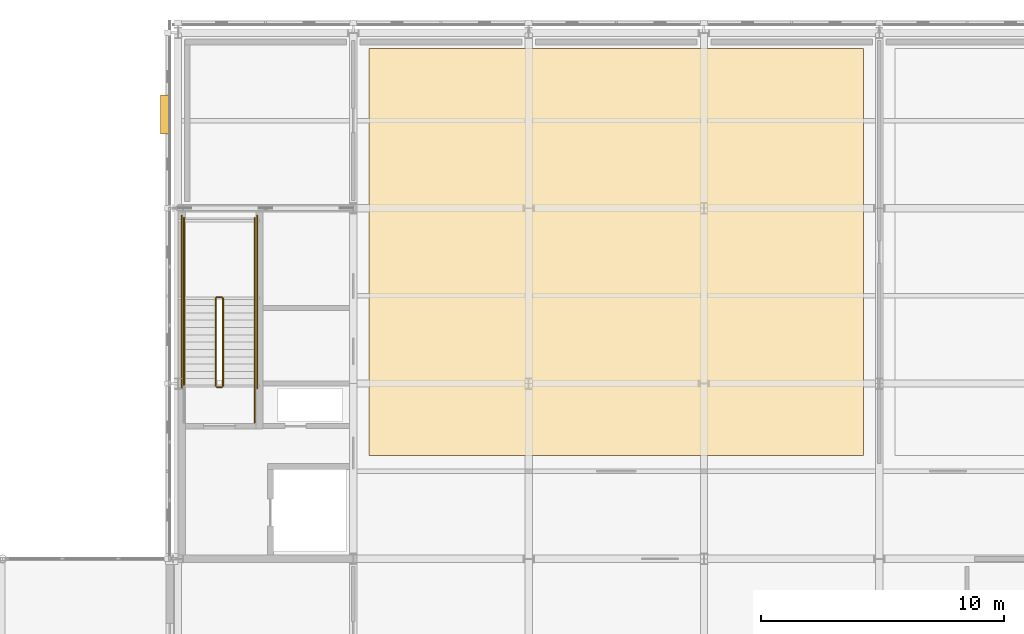
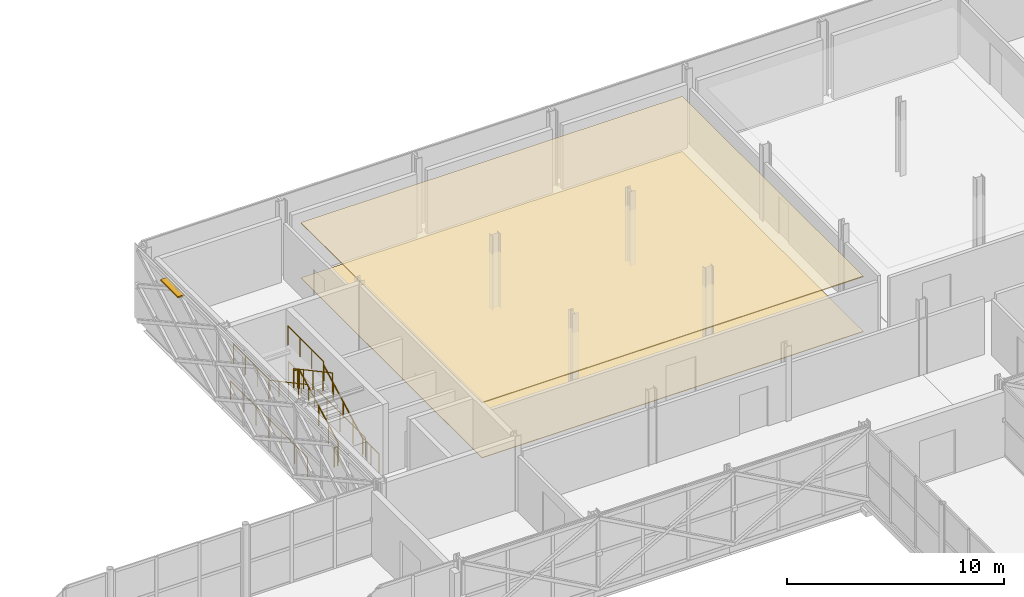
# One storey, part 142 of 146: 11 railings, 2 coverings, 1 shading device.
"""IFC4 building model written with IfcOpenShell, lengths in metres."""

from ifc_helpers import new_model, si_unit, direction, frame, origin, origin_2d, place, context, subcontext, project, spatial, polyline, rectangle, circle, outline, extrude, material, layer, layer_set, type_object, element, save


model = new_model("IFC4")

# Units and contexts
model_context = context("Model", 3, precision=1e-05, world=origin(), true_north=direction((0.0, 1.0)))
body_context = subcontext(model_context, "Body", "Model", "MODEL_VIEW")
ifc_project = project(units=[si_unit("LENGTHUNIT", "METRE"), si_unit("AREAUNIT", "SQUARE_METRE"), si_unit("VOLUMEUNIT", "CUBIC_METRE"), si_unit("PLANEANGLEUNIT", "RADIAN"), si_unit("MASSUNIT", "GRAM", prefix="KILO")], contexts=[model_context])

# Site, building, storey
site_placement = place(None, origin())
site = spatial("IfcSite", under=ifc_project, at=site_placement, CompositionType="ELEMENT")
building_placement = place(site_placement, origin())
building = spatial("IfcBuilding", under=site, at=building_placement, Name="Zlatovets Crest Museum", CompositionType="ELEMENT")
storey_placement = place(building_placement, frame((0.0, 0.0, 4.5)))
storey = spatial("IfcBuildingStorey", under=building, at=storey_placement, Name="L01", CompositionType="ELEMENT", Elevation=4.5)

# Coverings
ifc_material_1 = material(Name="Micro-perforated gypsum acoustic gallery ceiling")
ifc_layer_1 = layer(ifc_material_1, 0.050048828125)
ifc_layer_set_1 = layer_set([ifc_layer_1], Name="Micro-perforated gypsum acoustic gallery ceiling")
covering_type_1 = type_object("IfcCoveringType", Name="GalleryCeiling_CLG1", PredefinedType="CEILING", material=ifc_layer_set_1)
covering_1_placement = place(storey_placement, frame((0.0, 0.0, 3.090087890625)))
element("IfcCovering", 1, at=covering_1_placement, inside=storey, type_object=covering_type_1, Name="Early Bulgarian Revival Painting Gallery Acoustic Ceiling", PredefinedType="CEILING", context=body_context, shape_type="SweptSolid", body=[
    extrude(outline(polyline([(65.449951171875, 97.85009765625), (85.75, 97.85009765625), (85.75, 114.550048828125), (65.449951171875, 114.550048828125), (65.449951171875, 97.85009765625)])), origin(), (0.0, 0.0, 1.0), 0.0498046875),
])
ifc_material_2 = material(Name="Quarter-sawn European oak herringbone gallery parquet")
ifc_layer_2 = layer(ifc_material_2, 0.030029296875)
ifc_layer_set_2 = layer_set([ifc_layer_2], Name="Quarter-sawn European oak herringbone gallery parquet")
covering_type_2 = type_object("IfcCoveringType", Name="GalleryFloor_FLR1", PredefinedType="FLOORING", material=ifc_layer_set_2)
covering_2_placement = place(storey_placement, origin())
element("IfcCovering", 2, at=covering_2_placement, inside=storey, type_object=covering_type_2, Name="Early Bulgarian Revival Painting Gallery Floor Finish", PredefinedType="FLOORING", context=body_context, shape_type="SweptSolid", body=[
    extrude(outline(polyline([(65.449951171875, 97.85009765625), (85.75, 97.85009765625), (85.75, 114.550048828125), (65.449951171875, 114.550048828125), (65.449951171875, 97.85009765625)])), origin(), (0.0, 0.0, 1.0), 0.030029296875),
])

# Railings
ifc_material_3 = material(Name="Painted steel safety guardrail", Category="steel")
railing_type_1 = type_object("IfcRailingType", Name="StairGuard_SG01", PredefinedType="GUARDRAIL", material=ifc_material_3)
railing_1_placement = place(storey_placement, frame((59.449951171875, 100.699951171875, 0.16162109375)))
element("IfcRailing", 3, at=railing_1_placement, inside=storey, type_object=railing_type_1, Name="L01 ST1 stair guard 1", PredefinedType="GUARDRAIL", context=body_context, shape_type="SweptSolid", body=[
    extrude(circle(Radius=0.02392578125, at=origin_2d()), frame((0.0, 0.0, 1.076171875), z_axis=(0.0, 0.880474934443, 0.474092701714), x_axis=(-1.0, 0.0, 0.0)), (0.0, 0.0, 1.0), 4.0888671875),
    extrude(circle(Radius=0.02099609375, at=origin_2d()), origin(), (0.0, 0.0, 1.0), 1.052001953125),
    extrude(circle(Radius=0.02099609375, at=origin_2d()), frame((0.0, 0.89990234375, 0.484619140625)), (0.0, 0.0, 1.0), 1.052001953125),
    extrude(circle(Radius=0.02099609375, at=origin_2d()), frame((0.0, 1.800048828125, 0.96923828125)), (0.0, 0.0, 1.0), 1.052001953125),
    extrude(circle(Radius=0.02099609375, at=origin_2d()), frame((0.0, 2.7001953125, 1.453857421875)), (0.0, 0.0, 1.0), 1.052001953125),
    extrude(circle(Radius=0.02099609375, at=origin_2d()), frame((0.0, 3.60009765625, 1.9384765625)), (0.0, 0.0, 1.0), 1.052001953125),
])
railing_2_placement = place(storey_placement, frame((59.39990234375, 104.35009765625, 2.10009765625)))
element("IfcRailing", 4, at=railing_2_placement, inside=storey, type_object=railing_type_1, Name="L01 ST1 stair guard 2", PredefinedType="GUARDRAIL", context=body_context, shape_type="SweptSolid", body=[
    extrude(circle(Radius=0.02392578125, at=origin_2d()), frame((0.0, 0.0, 1.076171875), z_axis=(-1.0, 0.0, 0.0), x_axis=(0.0, -1.0, 0.0)), (0.0, 0.0, 1.0), 0.199951171875),
    extrude(circle(Radius=0.02099609375, at=origin_2d()), origin(), (0.0, 0.0, 1.0), 1.052001953125),
    extrude(circle(Radius=0.02099609375, at=origin_2d()), frame((-0.199951171875, 0.0, 0.0)), (0.0, 0.0, 1.0), 1.052001953125),
])
for number, where, name in (
    (5, (60.75, 104.300048828125, 2.10009765625), "L01 ST1 stair guard 3"),
    (6, (57.85009765625, 104.300048828125, 2.10009765625), "L01 ST1 stair guard 4"),
):
    element("IfcRailing", number, at=place(storey_placement, frame(where)), inside=storey, type_object=railing_type_1, Name=name, PredefinedType="GUARDRAIL", context=body_context, shape_type="SweptSolid", body=[
        extrude(circle(Radius=0.02392578125, at=origin_2d()), frame((0.0, 0.0, 1.076171875), z_axis=(0.0, 1.0, 0.0), x_axis=(-1.0, 0.0, 0.0)), (0.0, 0.0, 1.0), 3.300048828125),
        extrude(circle(Radius=0.02099609375, at=origin_2d()), origin(), (0.0, 0.0, 1.0), 1.052001953125),
        extrude(circle(Radius=0.02099609375, at=origin_2d()), frame((0.0, 1.10009765625, 0.0)), (0.0, 0.0, 1.0), 1.052001953125),
        extrude(circle(Radius=0.02099609375, at=origin_2d()), frame((0.0, 2.199951171875, 0.0)), (0.0, 0.0, 1.0), 1.052001953125),
        extrude(circle(Radius=0.02099609375, at=origin_2d()), frame((0.0, 3.300048828125, 0.0)), (0.0, 0.0, 1.0), 1.052001953125),
    ])
railing_3_placement = place(storey_placement, frame((59.14990234375, 104.300048828125, 2.261474609375)))
element("IfcRailing", 7, at=railing_3_placement, inside=storey, type_object=railing_type_1, Name="L01 ST1 stair guard 5", PredefinedType="GUARDRAIL", context=body_context, shape_type="SweptSolid", body=[
    extrude(circle(Radius=0.02392578125, at=origin_2d()), frame((0.0, 0.0, 1.076171875), z_axis=(0.0, -0.880474934443, 0.474092701714), x_axis=(1.0, 0.0, 0.0)), (0.0, 0.0, 1.0), 4.0888671875),
    extrude(circle(Radius=0.02099609375, at=origin_2d()), origin(), (0.0, 0.0, 1.0), 1.052001953125),
    extrude(circle(Radius=0.02099609375, at=origin_2d()), frame((0.0, -0.89990234375, 0.484619140625)), (0.0, 0.0, 1.0), 1.052001953125),
    extrude(circle(Radius=0.02099609375, at=origin_2d()), frame((0.0, -1.800048828125, 0.96923828125)), (0.0, 0.0, 1.0), 1.052001953125),
    extrude(circle(Radius=0.02099609375, at=origin_2d()), frame((0.0, -2.7001953125, 1.453857421875)), (0.0, 0.0, 1.0), 1.052001953125),
    extrude(circle(Radius=0.02099609375, at=origin_2d()), frame((0.0, -3.60009765625, 1.9384765625)), (0.0, 0.0, 1.0), 1.052001953125),
])
railing_4_placement = place(storey_placement, frame((59.39990234375, 100.64990234375, 0.0)))
element("IfcRailing", 8, at=railing_4_placement, inside=storey, type_object=railing_type_1, Name="L01 ST1 stair guard 6", PredefinedType="GUARDRAIL", context=body_context, shape_type="SweptSolid", body=[
    extrude(circle(Radius=0.02392578125, at=origin_2d()), frame((0.0, 0.0, 1.076171875), z_axis=(-1.0, 0.0, 0.0), x_axis=(0.0, -1.0, 0.0)), (0.0, 0.0, 1.0), 0.199951171875),
    extrude(circle(Radius=0.02099609375, at=origin_2d()), origin(), (0.0, 0.0, 1.0), 1.052001953125),
    extrude(circle(Radius=0.02099609375, at=origin_2d()), frame((-0.199951171875, 0.0, 0.0)), (0.0, 0.0, 1.0), 1.052001953125),
])
railing_5_placement = place(storey_placement, frame((60.75, 99.199951171875, 0.0)))
element("IfcRailing", 9, at=railing_5_placement, inside=storey, type_object=railing_type_1, Name="L01 ST1 stair guard 7", PredefinedType="GUARDRAIL", context=body_context, shape_type="SweptSolid", body=[
    extrude(circle(Radius=0.02392578125, at=origin_2d()), frame((0.0, 0.0, 1.076171875), z_axis=(0.0, 1.0, 0.0), x_axis=(-1.0, 0.0, 0.0)), (0.0, 0.0, 1.0), 1.5),
    extrude(circle(Radius=0.02099609375, at=origin_2d()), origin(), (0.0, 0.0, 1.0), 1.052001953125),
    extrude(circle(Radius=0.02099609375, at=origin_2d()), frame((0.0, 0.75, 0.0)), (0.0, 0.0, 1.0), 1.052001953125),
    extrude(circle(Radius=0.02099609375, at=origin_2d()), frame((0.0, 1.5, 0.0)), (0.0, 0.0, 1.0), 1.052001953125),
])
for number, where, name in (
    (10, (60.85009765625, 100.60009765625, 0.0), "L01 ST1 stair guard 9"),
    (11, (57.75, 100.60009765625, 0.0), "L01 ST1 stair guard 10"),
):
    element("IfcRailing", number, at=place(storey_placement, frame(where)), inside=storey, type_object=railing_type_1, Name=name, PredefinedType="GUARDRAIL", context=body_context, shape_type="SweptSolid", body=[
        extrude(circle(Radius=0.02392578125, at=origin_2d()), frame((0.0, 0.0, 1.076171875), z_axis=(0.0, 1.0, 0.0), x_axis=(-1.0, 0.0, 0.0)), (0.0, 0.0, 1.0), 7.099853515625),
        extrude(circle(Radius=0.02099609375, at=origin_2d()), origin(), (0.0, 0.0, 1.0), 1.052001953125),
        extrude(circle(Radius=0.02099609375, at=origin_2d()), frame((0.0, 1.183349609375, 0.0)), (0.0, 0.0, 1.0), 1.052001953125),
        extrude(circle(Radius=0.02099609375, at=origin_2d()), frame((0.0, 2.36669921875, 0.0)), (0.0, 0.0, 1.0), 1.052001953125),
        extrude(circle(Radius=0.02099609375, at=origin_2d()), frame((0.0, 3.5498046875, 0.0)), (0.0, 0.0, 1.0), 1.052001953125),
        extrude(circle(Radius=0.02099609375, at=origin_2d()), frame((0.0, 4.733154296875, 0.0)), (0.0, 0.0, 1.0), 1.052001953125),
        extrude(circle(Radius=0.02099609375, at=origin_2d()), frame((0.0, 5.91650390625, 0.0)), (0.0, 0.0, 1.0), 1.052001953125),
        extrude(circle(Radius=0.02099609375, at=origin_2d()), frame((0.0, 7.099853515625, 0.0)), (0.0, 0.0, 1.0), 1.052001953125),
    ])
ifc_material_4 = material(Name="Brushed bronze stair handrail")
railing_type_2 = type_object("IfcRailingType", Name="StairHandrail_SH01", PredefinedType="HANDRAIL", material=ifc_material_4)
railing_6_placement = place(storey_placement, frame((60.75, 100.699951171875, 0.16162109375)))
element("IfcRailing", 12, at=railing_6_placement, inside=storey, type_object=railing_type_2, Name="L01 ST1 stair handrail 1", PredefinedType="HANDRAIL", context=body_context, shape_type="SweptSolid", body=[
    extrude(circle(Radius=0.02392578125, at=origin_2d()), frame((0.0, 0.0, 0.8759765625), z_axis=(0.0, 0.880474934443, 0.474092701714), x_axis=(-1.0, 0.0, 0.0)), (0.0, 0.0, 1.0), 4.0888671875),
    extrude(circle(Radius=0.02099609375, at=origin_2d()), origin(), (0.0, 0.0, 1.0), 0.851806640625),
    extrude(circle(Radius=0.02099609375, at=origin_2d()), frame((0.0, 0.89990234375, 0.484619140625)), (0.0, 0.0, 1.0), 0.851806640625),
    extrude(circle(Radius=0.02099609375, at=origin_2d()), frame((0.0, 1.800048828125, 0.96923828125)), (0.0, 0.0, 1.0), 0.851806640625),
    extrude(circle(Radius=0.02099609375, at=origin_2d()), frame((0.0, 2.7001953125, 1.453857421875)), (0.0, 0.0, 1.0), 0.851806640625),
    extrude(circle(Radius=0.02099609375, at=origin_2d()), frame((0.0, 3.60009765625, 1.9384765625)), (0.0, 0.0, 1.0), 0.851806640625),
])
railing_7_placement = place(storey_placement, frame((57.85009765625, 104.300048828125, 2.261474609375)))
element("IfcRailing", 13, at=railing_7_placement, inside=storey, type_object=railing_type_2, Name="L01 ST1 stair handrail 2", PredefinedType="HANDRAIL", context=body_context, shape_type="SweptSolid", body=[
    extrude(circle(Radius=0.02392578125, at=origin_2d()), frame((0.0, 0.0, 0.8759765625), z_axis=(0.0, -0.880474934443, 0.474092701714), x_axis=(1.0, 0.0, 0.0)), (0.0, 0.0, 1.0), 4.0888671875),
    extrude(circle(Radius=0.02099609375, at=origin_2d()), origin(), (0.0, 0.0, 1.0), 0.851806640625),
    extrude(circle(Radius=0.02099609375, at=origin_2d()), frame((0.0, -0.89990234375, 0.484619140625)), (0.0, 0.0, 1.0), 0.851806640625),
    extrude(circle(Radius=0.02099609375, at=origin_2d()), frame((0.0, -1.800048828125, 0.96923828125)), (0.0, 0.0, 1.0), 0.851806640625),
    extrude(circle(Radius=0.02099609375, at=origin_2d()), frame((0.0, -2.7001953125, 1.453857421875)), (0.0, 0.0, 1.0), 0.851806640625),
    extrude(circle(Radius=0.02099609375, at=origin_2d()), frame((0.0, -3.60009765625, 1.9384765625)), (0.0, 0.0, 1.0), 0.851806640625),
])

# Shading device
ifc_material_5 = material(Name="Patinated bronze solar-control louvre", Category="aluminium")
shading_device_type = type_object("IfcShadingDeviceType", Name="SunLouvre_SL01", PredefinedType="JALOUSIE", material=ifc_material_5)
shading_device_placement = place(storey_placement, frame((57.06005859375, 111.840087890625, 4.010009765625), z_axis=(0.0, 0.0, 1.0), x_axis=(0.0, 1.0, 0.0)))
element("IfcShadingDevice", 14, at=shading_device_placement, inside=storey, type_object=shading_device_type, Name="Bronze Solar-Control Louvre Hood", PredefinedType="JALOUSIE", context=body_context, shape_type="SweptSolid", body=[
    extrude(rectangle(XDim=1.60009765625, YDim=0.35009765625, at=origin_2d()), origin(), (0.0, 0.0, 1.0), 0.080078125),
])

save(model, "model.ifc")
